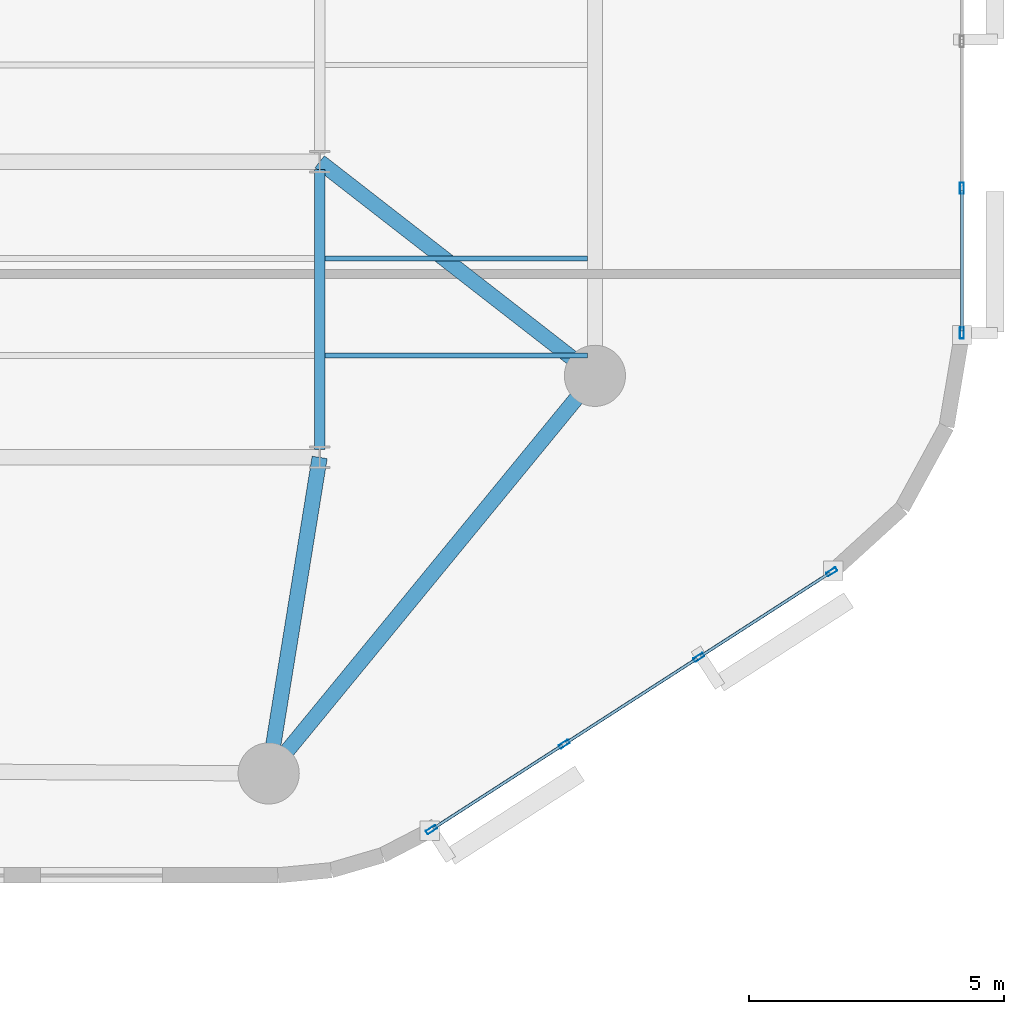
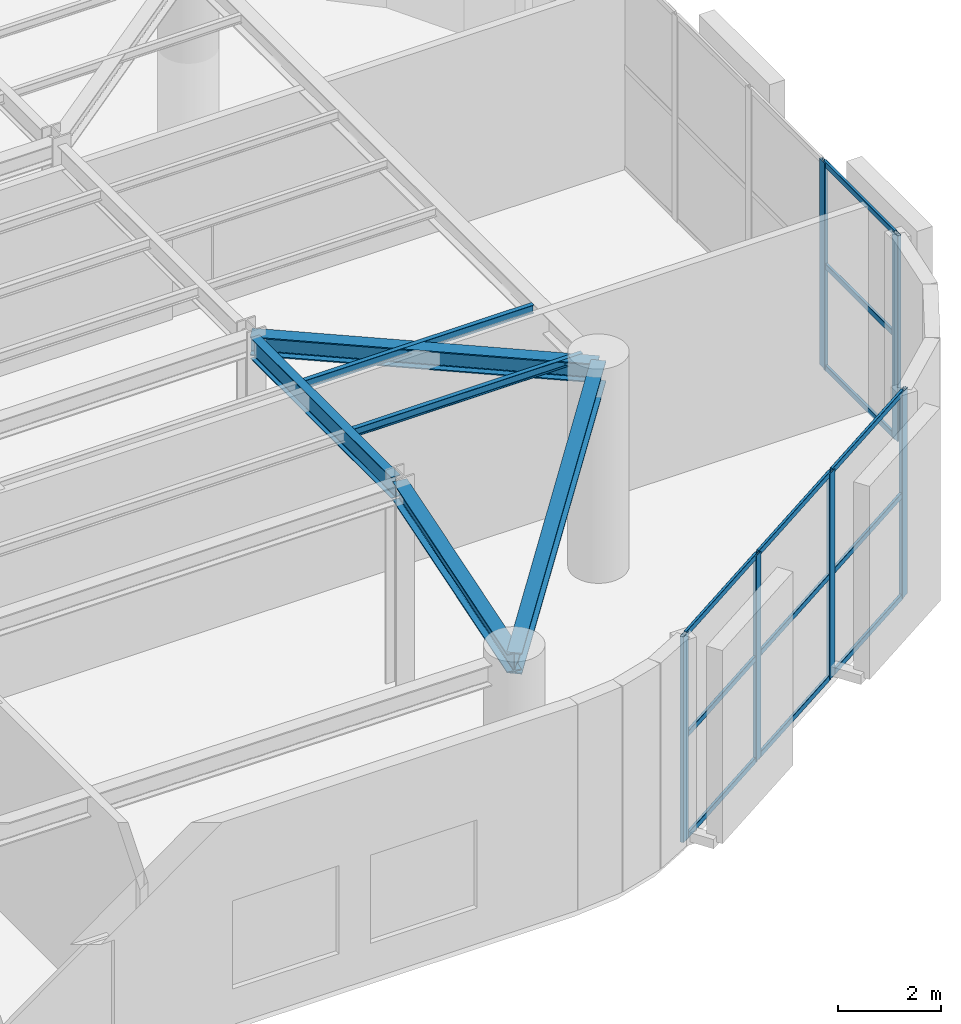
# One storey, part 2 of 12: 18 members, 6 beams, 2 elements without a shape of their own.
"""IFC4 building model written with IfcOpenShell, lengths in metres."""

from ifc_helpers import new_model, si_unit, direction, frame, origin, origin_2d, place, context, subcontext, project, spatial, hollow_rectangle, i_section, extrude, material, layer, layer_set, material_profile, profile_set, type_object, element, aggregate, save


model = new_model("IFC4")

# Units and contexts
model_context = context("Model", 3, precision=1e-05, world=origin(), true_north=direction((0.0, 1.0)))
body_context = subcontext(model_context, "Body", "Model", "MODEL_VIEW")
ifc_project = project(units=[si_unit("LENGTHUNIT", "METRE"), si_unit("AREAUNIT", "SQUARE_METRE"), si_unit("VOLUMEUNIT", "CUBIC_METRE"), si_unit("PLANEANGLEUNIT", "RADIAN"), si_unit("MASSUNIT", "GRAM", prefix="KILO")], contexts=[model_context])

# Site, building, storey
site_placement = place(None, origin())
site = spatial("IfcSite", under=ifc_project, at=site_placement, CompositionType="ELEMENT")
building_placement = place(site_placement, origin())
building = spatial("IfcBuilding", under=site, at=building_placement, Name="An Khanh Terracotta Commons", CompositionType="ELEMENT")
storey_placement = place(building_placement, frame((0.0, 0.0, 138.699951171875)))
storey = spatial("IfcBuildingStorey", under=building, at=storey_placement, Name="L36", CompositionType="ELEMENT", Elevation=138.699951171875)

# Beams
ifc_material_1 = material(Name="Steel S355J2", Category="steel")
ifc_material_profile_1 = material_profile(ifc_material_1, i_section(OverallWidth=0.300048828125, OverallDepth=0.449951171875, WebThickness=0.013916015625, FlangeThickness=0.02587890625, FilletRadius=0.027099609375, at=origin_2d()), Name="HEB450")
ifc_profile_set_1 = profile_set([ifc_material_profile_1], Name="Steel S355J2")
beam_type_1 = type_object("IfcBeamType", Name="BM-HEB450", PredefinedType="BEAM", material=ifc_profile_set_1)
beam_1_placement = place(storey_placement, frame((49.39990234375, 8.199951171875, 4.675048828125), z_axis=(0.159233661074, 0.987240923575, 0.0), x_axis=(-0.987240923575, 0.159233661074, 0.0)))
element("IfcBeam", 1, at=beam_1_placement, inside=storey, type_object=beam_type_1, Name="L36 Mega-Column Tie Girder 2", PredefinedType="BEAM", context=body_context, shape_type="SweptSolid", body=[
    extrude(i_section(OverallWidth=0.300048828125, OverallDepth=0.449951171875, WebThickness=0.013916015625, FlangeThickness=0.02587890625, FilletRadius=0.027099609375, at=origin_2d()), origin(), (0.0, 0.0, 1.0), 6.280029296875),
])
beam_2_placement = place(storey_placement, frame((55.800048828125, 16.0, 4.675048828125), z_axis=(-0.789363746927, 0.61392578952, 0.0), x_axis=(-0.61392578952, -0.789363746927, 0.0)))
element("IfcBeam", 2, at=beam_2_placement, inside=storey, type_object=beam_type_1, Name="L36 Mega-Column Tie Girder 3", PredefinedType="BEAM", context=body_context, shape_type="SweptSolid", body=[
    extrude(i_section(OverallWidth=0.300048828125, OverallDepth=0.449951171875, WebThickness=0.013916015625, FlangeThickness=0.02587890625, FilletRadius=0.027099609375, at=origin_2d()), origin(), (0.0, 0.0, 1.0), 6.841064453125),
])
ifc_material_profile_2 = material_profile(ifc_material_1, i_section(OverallWidth=0.300048828125, OverallDepth=0.5, WebThickness=0.014404296875, FlangeThickness=0.028076171875, FilletRadius=0.027099609375, at=origin_2d()), Name="HEB500")
ifc_profile_set_2 = profile_set([ifc_material_profile_2], Name="Steel S355J2")
beam_type_2 = type_object("IfcBeamType", Name="BM-HEB500", PredefinedType="BEAM", material=ifc_profile_set_2)
beam_3_placement = place(storey_placement, frame((49.39990234375, 8.199951171875, 4.650146484375), z_axis=(0.634322915223, 0.7730681983, 0.0), x_axis=(-0.7730681983, 0.634322915223, 0.0)))
element("IfcBeam", 3, at=beam_3_placement, inside=storey, type_object=beam_type_2, Name="L36 Perimeter Ring Spandrel 2", PredefinedType="BEAM", context=body_context, shape_type="SweptSolid", body=[
    extrude(i_section(OverallWidth=0.300048828125, OverallDepth=0.5, WebThickness=0.014404296875, FlangeThickness=0.028076171875, FilletRadius=0.027099609375, at=origin_2d()), origin(), (0.0, 0.0, 1.0), 10.08984375),
])
ifc_material_profile_3 = material_profile(ifc_material_1, i_section(OverallWidth=0.10009765625, OverallDepth=0.199951171875, WebThickness=0.005615234375, FlangeThickness=0.008544921875, FilletRadius=0.011962890625, at=origin_2d()), Name="IPE200")
ifc_profile_set_3 = profile_set([ifc_material_profile_3], Name="Steel S355J2")
beam_type_3 = type_object("IfcBeamType", Name="BM-IPE200", PredefinedType="JOIST", material=ifc_profile_set_3)
for number, where, z_axis, x_axis, name in (
    (4, (50.5, 16.39990234375, 4.800048828125), (1.0, 0.0, 0.0), (0.0, 1.0, 0.0), "L36 Riverfront Composite Joist 1"),
    (5, (50.5, 18.300048828125, 4.800048828125), (1.0, 0.0, 0.0), (0.0, 1.0, 0.0), "L36 Riverfront Composite Joist 2"),
):
    element("IfcBeam", number, at=place(storey_placement, frame(where, z_axis=z_axis, x_axis=x_axis)), inside=storey, type_object=beam_type_3, Name=name, PredefinedType="JOIST", context=body_context, shape_type="SweptSolid", body=[
        extrude(i_section(OverallWidth=0.10009765625, OverallDepth=0.199951171875, WebThickness=0.005615234375, FlangeThickness=0.008544921875, FilletRadius=0.011962890625, at=origin_2d()), origin(), (0.0, 0.0, 1.0), 5.14990234375),
    ])
ifc_material_profile_4 = material_profile(ifc_material_1, i_section(OverallWidth=0.199951171875, OverallDepth=0.5, WebThickness=0.01025390625, FlangeThickness=0.01611328125, FilletRadius=0.02099609375, at=origin_2d()), Name="IPE500")
ifc_profile_set_4 = profile_set([ifc_material_profile_4], Name="Steel S355J2")
beam_type_4 = type_object("IfcBeamType", Name="BM-IPE500", PredefinedType="BEAM", material=ifc_profile_set_4)
beam_4_placement = place(storey_placement, frame((50.39990234375, 14.550048828125, 4.650146484375), z_axis=(0.0, 1.0, 0.0), x_axis=(-1.0, 0.0, 0.0)))
element("IfcBeam", 6, at=beam_4_placement, inside=storey, type_object=beam_type_4, Name="L36 East Spine Girder 1", PredefinedType="BEAM", context=body_context, shape_type="SweptSolid", body=[
    extrude(i_section(OverallWidth=0.199951171875, OverallDepth=0.5, WebThickness=0.01025390625, FlangeThickness=0.01611328125, FilletRadius=0.02099609375, at=origin_2d()), origin(), (0.0, 0.0, 1.0), 5.5),
])

# Curtain wall, members
ifc_material_2 = material(Name="Anodised Aluminium 6063-T6", Category="aluminium")
ifc_layer = layer(ifc_material_2, 0.239990234375, Name="Anodised Aluminium 6063-T6")
ifc_layer_set = layer_set([ifc_layer], Name="Anodised Aluminium 6063-T6")
curtain_wall_type = type_object("IfcCurtainWallType", Name="CW-SYS-04", PredefinedType="USERDEFINED", material=ifc_layer_set)
curtain_wall_1_placement = place(storey_placement, origin())
curtain_wall_1 = element("IfcCurtainWall", 7, at=curtain_wall_1_placement, inside=storey, type_object=curtain_wall_type, Name="L36 CW-04 Unitised Curtain Wall CW-L36-08", ObjectType="UNITISED CURTAIN WALL", PredefinedType="USERDEFINED")
ifc_material_profile_5 = material_profile(ifc_material_2, hollow_rectangle(XDim=0.080078125, YDim=0.219970703125, WallThickness=0.0048828125, InnerFilletRadius=0.0048828125, OuterFilletRadius=0.010009765625, at=origin_2d()), Name="RHS220x80x5")
ifc_profile_set_5 = profile_set([ifc_material_profile_5], Name="Anodised Aluminium 6063-T6")
member_type_1 = type_object("IfcMemberType", Name="CWM-RHS220x80x5", PredefinedType="MULLION", material=ifc_profile_set_5)
member_1_placement = place(storey_placement, frame((52.59375, 7.09765625, 0.0), z_axis=(0.0, 0.0, 1.0), x_axis=(-0.541497931062, 0.840702081986, 0.0)))
member_1 = element("IfcMember", 8, at=member_1_placement, type_object=member_type_1, Name="CW-04 mullion 1", PredefinedType="MULLION", context=body_context, shape_type="SweptSolid", body=[
    extrude(hollow_rectangle(XDim=0.080078125, YDim=0.219970703125, WallThickness=0.0048828125, InnerFilletRadius=0.0048828125, OuterFilletRadius=0.010009765625, at=origin_2d()), origin(), (0.0, 0.0, 1.0), 4.900146484375),
])
member_2_placement = place(storey_placement, frame((55.19921875, 8.77587890625, 0.0), z_axis=(0.0, 0.0, 1.0), x_axis=(-0.541497931062, 0.840702081986, 0.0)))
member_2 = element("IfcMember", 9, at=member_2_placement, type_object=member_type_1, Name="CW-04 mullion 2", PredefinedType="MULLION", context=body_context, shape_type="SweptSolid", body=[
    extrude(hollow_rectangle(XDim=0.080078125, YDim=0.219970703125, WallThickness=0.0048828125, InnerFilletRadius=0.0048828125, OuterFilletRadius=0.010009765625, at=origin_2d()), origin(), (0.0, 0.0, 1.0), 4.900146484375),
])
member_3_placement = place(storey_placement, frame((57.838623046875, 10.47607421875, 0.0), z_axis=(0.0, 0.0, 1.0), x_axis=(-0.541497931062, 0.840702081986, 0.0)))
member_3 = element("IfcMember", 10, at=member_3_placement, type_object=member_type_1, Name="CW-04 mullion 3", PredefinedType="MULLION", context=body_context, shape_type="SweptSolid", body=[
    extrude(hollow_rectangle(XDim=0.080078125, YDim=0.219970703125, WallThickness=0.0048828125, InnerFilletRadius=0.0048828125, OuterFilletRadius=0.010009765625, at=origin_2d()), origin(), (0.0, 0.0, 1.0), 4.900146484375),
])
member_4_placement = place(storey_placement, frame((60.4443359375, 12.154296875, 0.0), z_axis=(0.0, 0.0, 1.0), x_axis=(-0.541497931062, 0.840702081986, 0.0)))
member_4 = element("IfcMember", 11, at=member_4_placement, type_object=member_type_1, Name="CW-04 mullion 4", PredefinedType="MULLION", context=body_context, shape_type="SweptSolid", body=[
    extrude(hollow_rectangle(XDim=0.080078125, YDim=0.219970703125, WallThickness=0.0048828125, InnerFilletRadius=0.0048828125, OuterFilletRadius=0.010009765625, at=origin_2d()), origin(), (0.0, 0.0, 1.0), 4.900146484375),
])

curtain_wall_2_placement = place(storey_placement, origin())
curtain_wall_2 = element("IfcCurtainWall", 12, at=curtain_wall_2_placement, inside=storey, type_object=curtain_wall_type, Name="L36 CW-04 Unitised Curtain Wall CW-L36-12", ObjectType="UNITISED CURTAIN WALL", PredefinedType="USERDEFINED")
member_5_placement = place(storey_placement, frame((63.0, 16.840087890625, 0.0), z_axis=(0.0, 0.0, 1.0), x_axis=(-1.0, 0.0, 0.0)))
member_5 = element("IfcMember", 13, at=member_5_placement, type_object=member_type_1, Name="CW-04 mullion 1", PredefinedType="MULLION", context=body_context, shape_type="SweptSolid", body=[
    extrude(hollow_rectangle(XDim=0.080078125, YDim=0.219970703125, WallThickness=0.0048828125, InnerFilletRadius=0.0048828125, OuterFilletRadius=0.010009765625, at=origin_2d()), origin(), (0.0, 0.0, 1.0), 4.900146484375),
])
member_6_placement = place(storey_placement, frame((63.0, 19.679931640625, 0.0), z_axis=(0.0, 0.0, 1.0), x_axis=(-1.0, 0.0, 0.0)))
member_6 = element("IfcMember", 14, at=member_6_placement, type_object=member_type_1, Name="CW-04 mullion 2", PredefinedType="MULLION", context=body_context, shape_type="SweptSolid", body=[
    extrude(hollow_rectangle(XDim=0.080078125, YDim=0.219970703125, WallThickness=0.0048828125, InnerFilletRadius=0.0048828125, OuterFilletRadius=0.010009765625, at=origin_2d()), origin(), (0.0, 0.0, 1.0), 4.900146484375),
])

# Member
ifc_material_profile_6 = material_profile(ifc_material_2, hollow_rectangle(XDim=0.06005859375, YDim=0.135009765625, WallThickness=0.003662109375, InnerFilletRadius=0.003662109375, OuterFilletRadius=0.007080078125, at=origin_2d()), Name="RHS135x60x3.6")
ifc_profile_set_6 = profile_set([ifc_material_profile_6], Name="Anodised Aluminium 6063-T6")
member_type_2 = type_object("IfcMemberType", Name="CWT-RHS135x60x3.6", PredefinedType="USERDEFINED", material=ifc_profile_set_6)
member_7_placement = place(storey_placement, frame((52.627197265625, 7.119384765625, 0.030029296875), z_axis=(0.840715813702, 0.541476611306, 0.0), x_axis=(-0.541476611306, 0.840715813702, 0.0)))
member_7 = element("IfcMember", 15, at=member_7_placement, type_object=member_type_2, Name="CW-04 transom 1.1", ObjectType="TRANSOM", PredefinedType="USERDEFINED", context=body_context, shape_type="SweptSolid", body=[
    extrude(hollow_rectangle(XDim=0.06005859375, YDim=0.135009765625, WallThickness=0.003662109375, InnerFilletRadius=0.003662109375, OuterFilletRadius=0.007080078125, at=origin_2d()), origin(), (0.0, 0.0, 1.0), 3.01953125),
])

member_8_placement = place(storey_placement, frame((52.627197265625, 7.119384765625, 2.449951171875), z_axis=(0.840715813702, 0.541476611306, 0.0), x_axis=(-0.541476611306, 0.840715813702, 0.0)))
member_8 = element("IfcMember", 16, at=member_8_placement, type_object=member_type_2, Name="CW-04 transom 1.2", ObjectType="TRANSOM", PredefinedType="USERDEFINED", context=body_context, shape_type="SweptSolid", body=[
    extrude(hollow_rectangle(XDim=0.06005859375, YDim=0.135009765625, WallThickness=0.003662109375, InnerFilletRadius=0.003662109375, OuterFilletRadius=0.007080078125, at=origin_2d()), origin(), (0.0, 0.0, 1.0), 3.01953125),
])

member_9_placement = place(storey_placement, frame((52.627197265625, 7.119384765625, 4.8701171875), z_axis=(0.840715813702, 0.541476611306, 0.0), x_axis=(-0.541476611306, 0.840715813702, 0.0)))
member_9 = element("IfcMember", 17, at=member_9_placement, type_object=member_type_2, Name="CW-04 transom 1.3", ObjectType="TRANSOM", PredefinedType="USERDEFINED", context=body_context, shape_type="SweptSolid", body=[
    extrude(hollow_rectangle(XDim=0.06005859375, YDim=0.135009765625, WallThickness=0.003662109375, InnerFilletRadius=0.003662109375, OuterFilletRadius=0.007080078125, at=origin_2d()), origin(), (0.0, 0.0, 1.0), 3.01953125),
])

member_10_placement = place(storey_placement, frame((55.23291015625, 8.797607421875, 0.030029296875), z_axis=(0.840688097471, 0.541519642092, 0.0), x_axis=(-0.541519642092, 0.840688097471, 0.0)))
member_10 = element("IfcMember", 18, at=member_10_placement, type_object=member_type_2, Name="CW-04 transom 2.1", ObjectType="TRANSOM", PredefinedType="USERDEFINED", context=body_context, shape_type="SweptSolid", body=[
    extrude(hollow_rectangle(XDim=0.06005859375, YDim=0.135009765625, WallThickness=0.003662109375, InnerFilletRadius=0.003662109375, OuterFilletRadius=0.007080078125, at=origin_2d()), origin(), (0.0, 0.0, 1.0), 3.059326171875),
])

member_11_placement = place(storey_placement, frame((55.23291015625, 8.797607421875, 2.449951171875), z_axis=(0.840688097471, 0.541519642092, 0.0), x_axis=(-0.541519642092, 0.840688097471, 0.0)))
member_11 = element("IfcMember", 19, at=member_11_placement, type_object=member_type_2, Name="CW-04 transom 2.2", ObjectType="TRANSOM", PredefinedType="USERDEFINED", context=body_context, shape_type="SweptSolid", body=[
    extrude(hollow_rectangle(XDim=0.06005859375, YDim=0.135009765625, WallThickness=0.003662109375, InnerFilletRadius=0.003662109375, OuterFilletRadius=0.007080078125, at=origin_2d()), origin(), (0.0, 0.0, 1.0), 3.059326171875),
])

member_12_placement = place(storey_placement, frame((55.23291015625, 8.797607421875, 4.8701171875), z_axis=(0.840688097471, 0.541519642092, 0.0), x_axis=(-0.541519642092, 0.840688097471, 0.0)))
member_12 = element("IfcMember", 20, at=member_12_placement, type_object=member_type_2, Name="CW-04 transom 2.3", ObjectType="TRANSOM", PredefinedType="USERDEFINED", context=body_context, shape_type="SweptSolid", body=[
    extrude(hollow_rectangle(XDim=0.06005859375, YDim=0.135009765625, WallThickness=0.003662109375, InnerFilletRadius=0.003662109375, OuterFilletRadius=0.007080078125, at=origin_2d()), origin(), (0.0, 0.0, 1.0), 3.059326171875),
])

member_13_placement = place(storey_placement, frame((57.872314453125, 10.49755859375, 0.030029296875), z_axis=(0.840692105256, 0.541513420111, 0.0), x_axis=(-0.541513420111, 0.840692105256, 0.0)))
member_13 = element("IfcMember", 21, at=member_13_placement, type_object=member_type_2, Name="CW-04 transom 3.1", ObjectType="TRANSOM", PredefinedType="USERDEFINED", context=body_context, shape_type="SweptSolid", body=[
    extrude(hollow_rectangle(XDim=0.06005859375, YDim=0.135009765625, WallThickness=0.003662109375, InnerFilletRadius=0.003662109375, OuterFilletRadius=0.007080078125, at=origin_2d()), origin(), (0.0, 0.0, 1.0), 3.019287109375),
])

member_14_placement = place(storey_placement, frame((57.872314453125, 10.49755859375, 2.449951171875), z_axis=(0.840692105256, 0.541513420111, 0.0), x_axis=(-0.541513420111, 0.840692105256, 0.0)))
member_14 = element("IfcMember", 22, at=member_14_placement, type_object=member_type_2, Name="CW-04 transom 3.2", ObjectType="TRANSOM", PredefinedType="USERDEFINED", context=body_context, shape_type="SweptSolid", body=[
    extrude(hollow_rectangle(XDim=0.06005859375, YDim=0.135009765625, WallThickness=0.003662109375, InnerFilletRadius=0.003662109375, OuterFilletRadius=0.007080078125, at=origin_2d()), origin(), (0.0, 0.0, 1.0), 3.019287109375),
])

member_15_placement = place(storey_placement, frame((57.872314453125, 10.49755859375, 4.8701171875), z_axis=(0.840692105256, 0.541513420111, 0.0), x_axis=(-0.541513420111, 0.840692105256, 0.0)))
member_15 = element("IfcMember", 23, at=member_15_placement, type_object=member_type_2, Name="CW-04 transom 3.3", ObjectType="TRANSOM", PredefinedType="USERDEFINED", context=body_context, shape_type="SweptSolid", body=[
    extrude(hollow_rectangle(XDim=0.06005859375, YDim=0.135009765625, WallThickness=0.003662109375, InnerFilletRadius=0.003662109375, OuterFilletRadius=0.007080078125, at=origin_2d()), origin(), (0.0, 0.0, 1.0), 3.019287109375),
])

aggregate(curtain_wall_1, [member_1, member_2, member_3, member_4, member_7, member_8, member_9, member_10, member_11, member_12, member_13, member_14, member_15])

member_16_placement = place(storey_placement, frame((63.0, 16.8798828125, 0.030029296875), z_axis=(0.0, 1.0, 0.0), x_axis=(-1.0, 0.0, 0.0)))
member_16 = element("IfcMember", 24, at=member_16_placement, type_object=member_type_2, Name="CW-04 transom 1.1", ObjectType="TRANSOM", PredefinedType="USERDEFINED", context=body_context, shape_type="SweptSolid", body=[
    extrude(hollow_rectangle(XDim=0.06005859375, YDim=0.135009765625, WallThickness=0.003662109375, InnerFilletRadius=0.003662109375, OuterFilletRadius=0.007080078125, at=origin_2d()), origin(), (0.0, 0.0, 1.0), 2.760009765625),
])

member_17_placement = place(storey_placement, frame((63.0, 16.8798828125, 2.449951171875), z_axis=(0.0, 1.0, 0.0), x_axis=(-1.0, 0.0, 0.0)))
member_17 = element("IfcMember", 25, at=member_17_placement, type_object=member_type_2, Name="CW-04 transom 1.2", ObjectType="TRANSOM", PredefinedType="USERDEFINED", context=body_context, shape_type="SweptSolid", body=[
    extrude(hollow_rectangle(XDim=0.06005859375, YDim=0.135009765625, WallThickness=0.003662109375, InnerFilletRadius=0.003662109375, OuterFilletRadius=0.007080078125, at=origin_2d()), origin(), (0.0, 0.0, 1.0), 2.760009765625),
])

member_18_placement = place(storey_placement, frame((63.0, 16.8798828125, 4.8701171875), z_axis=(0.0, 1.0, 0.0), x_axis=(-1.0, 0.0, 0.0)))
member_18 = element("IfcMember", 26, at=member_18_placement, type_object=member_type_2, Name="CW-04 transom 1.3", ObjectType="TRANSOM", PredefinedType="USERDEFINED", context=body_context, shape_type="SweptSolid", body=[
    extrude(hollow_rectangle(XDim=0.06005859375, YDim=0.135009765625, WallThickness=0.003662109375, InnerFilletRadius=0.003662109375, OuterFilletRadius=0.007080078125, at=origin_2d()), origin(), (0.0, 0.0, 1.0), 2.760009765625),
])

aggregate(curtain_wall_2, [member_5, member_6, member_16, member_17, member_18])

save(model, "model.ifc")
